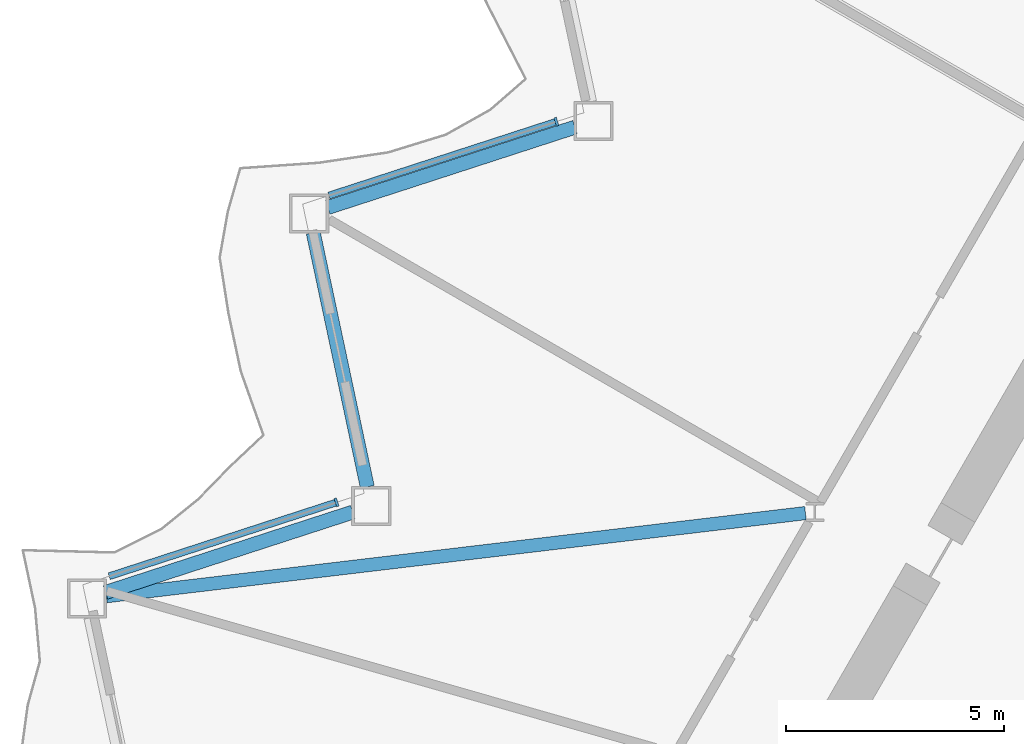
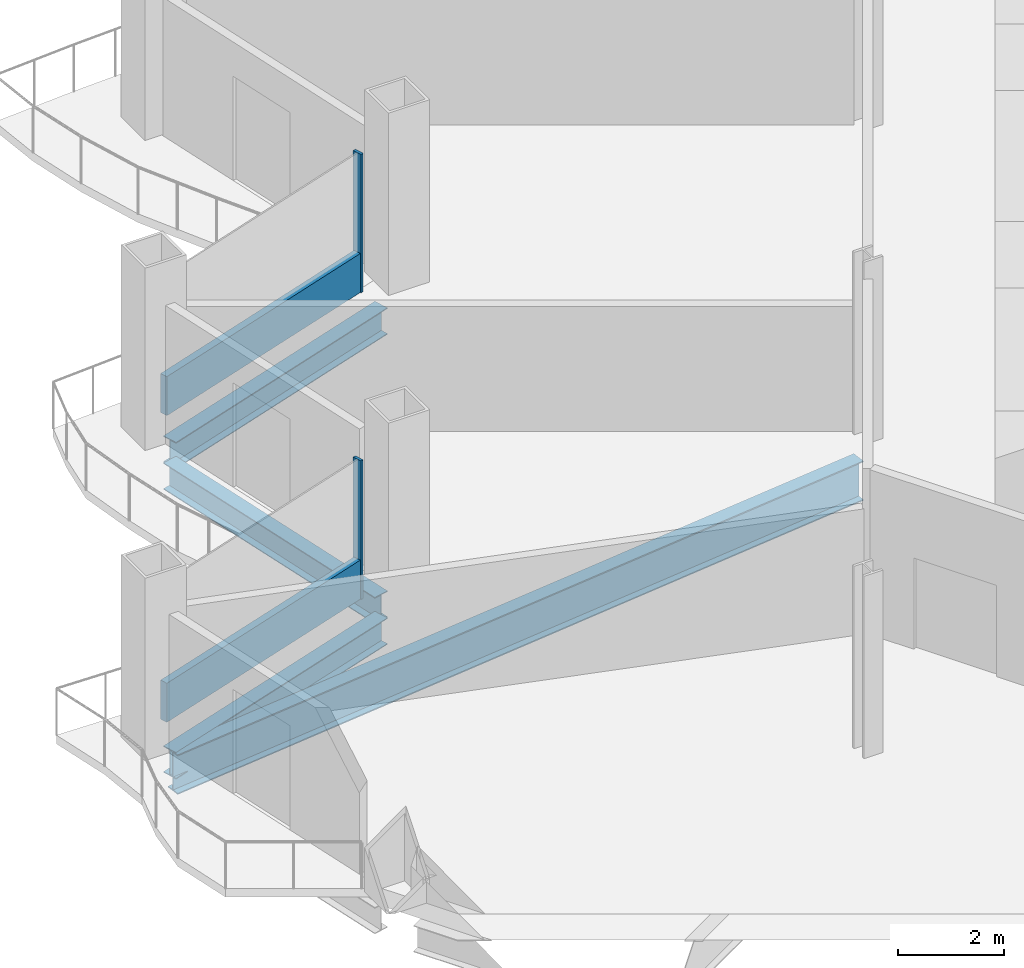
# One storey, part 4 of 21: 4 beams, 4 members, 2 elements without a shape of their own.
"""IFC4 building model written with IfcOpenShell, lengths in metres."""

from ifc_helpers import new_model, si_unit, direction, frame, origin, origin_2d, place, context, subcontext, project, spatial, rectangle, i_section, extrude, material, layer, layer_set, material_profile, profile_set, type_object, element, aggregate, save


model = new_model("IFC4")

# Units and contexts
model_context = context("Model", 3, precision=1e-05, world=origin(), true_north=direction((0.0, 1.0)))
body_context = subcontext(model_context, "Body", "Model", "MODEL_VIEW")
ifc_project = project(units=[si_unit("LENGTHUNIT", "METRE"), si_unit("AREAUNIT", "SQUARE_METRE"), si_unit("VOLUMEUNIT", "CUBIC_METRE"), si_unit("PLANEANGLEUNIT", "RADIAN"), si_unit("MASSUNIT", "GRAM", prefix="KILO")], contexts=[model_context])

# Site, building, storey
site_placement = place(None, origin())
site = spatial("IfcSite", under=ifc_project, at=site_placement, CompositionType="ELEMENT")
building_placement = place(site_placement, origin())
building = spatial("IfcBuilding", under=site, at=building_placement, Name="Cormorant Prow Tower", CompositionType="ELEMENT")
storey_placement = place(building_placement, frame((0.0, 0.0, 133.199951171875)))
storey = spatial("IfcBuildingStorey", under=building, at=storey_placement, Name="L28", CompositionType="ELEMENT", Elevation=133.199951171875)

# Curtain wall, member
ifc_material_1 = material(Name="Aluminium 6063-T6", Category="aluminium")
ifc_layer = layer(ifc_material_1, 0.199951171875)
ifc_layer_set = layer_set([ifc_layer], Name="Aluminium 6063-T6")
curtain_wall_type = type_object("IfcCurtainWallType", Name="Office unitised curtain wall 200", PredefinedType="NOTDEFINED", material=ifc_layer_set)
curtain_wall_1_placement = place(storey_placement, origin())
curtain_wall_1 = element("IfcCurtainWall", 1, at=curtain_wall_1_placement, inside=storey, type_object=curtain_wall_type, Name="Office curtain wall WNW06", PredefinedType="NOTDEFINED")
ifc_material_2 = material(Name="Aluminium 6063-T6", Category="aluminium")
ifc_material_profile_1 = material_profile(ifc_material_2, rectangle(XDim=0.199951171875, YDim=0.06005859375, at=origin_2d()), Name="Office mullion 60x200")
ifc_profile_set_1 = profile_set([ifc_material_profile_1], Name="Aluminium 6063-T6")
member_type_1 = type_object("IfcMemberType", Name="Office mullion 60x200", PredefinedType="MULLION", material=ifc_profile_set_1)
member_1_placement = place(storey_placement, frame((-21.4248046875, 5.974365234375, 0.0), z_axis=(0.0, 0.0, 1.0), x_axis=(0.309017072623, -0.951056490871, 0.0)))
member_1 = element("IfcMember", 2, at=member_1_placement, type_object=member_type_1, Name="Office mullion WNW06", PredefinedType="MULLION", context=body_context, shape_type="SweptSolid", body=[
    extrude(rectangle(XDim=0.199951171875, YDim=0.06005859375, at=origin_2d()), origin(), (0.0, 0.0, 1.0), 3.18896484375),
])

curtain_wall_2_placement = place(storey_placement, origin())
curtain_wall_2 = element("IfcCurtainWall", 3, at=curtain_wall_2_placement, inside=storey, type_object=curtain_wall_type, Name="Office curtain wall WNW08", PredefinedType="NOTDEFINED")
member_2_placement = place(storey_placement, frame((-26.468017578125, -2.760986328125, 0.0), z_axis=(0.0, 0.0, 1.0), x_axis=(0.309017072623, -0.951056490871, 0.0)))
member_2 = element("IfcMember", 4, at=member_2_placement, type_object=member_type_1, Name="Office mullion WNW08", PredefinedType="MULLION", context=body_context, shape_type="SweptSolid", body=[
    extrude(rectangle(XDim=0.199951171875, YDim=0.06005859375, at=origin_2d()), origin(), (0.0, 0.0, 1.0), 3.18896484375),
])

# Member
ifc_material_3 = material(Name="Terracotta", Category="masonry")
ifc_material_profile_2 = material_profile(ifc_material_3, rectangle(XDim=0.159912109375, YDim=0.89990234375, at=origin_2d()), Name="Office terracotta spandrel rail 160x900")
ifc_profile_set_2 = profile_set([ifc_material_profile_2], Name="Terracotta")
member_type_2 = type_object("IfcMemberType", Name="Office terracotta spandrel rail 160x900", PredefinedType="USERDEFINED", material=ifc_profile_set_2)
member_3_placement = place(storey_placement, frame((-21.453369140625, 5.965087890625, 0.449951171875), z_axis=(-0.951055118029, -0.309021297763, 0.0), x_axis=(0.309021297763, -0.951055118029, 0.0)))
member_3 = element("IfcMember", 5, at=member_3_placement, type_object=member_type_2, Name="Office spandrel rail WNW06", ObjectType="TRANSOM", PredefinedType="USERDEFINED", context=body_context, shape_type="SweptSolid", body=[
    extrude(rectangle(XDim=0.159912109375, YDim=0.89990234375, at=origin_2d()), origin(), (0.0, 0.0, 1.0), 5.45458984375),
])

aggregate(curtain_wall_1, [member_1, member_3])

member_4_placement = place(storey_placement, frame((-26.49658203125, -2.770263671875, 0.449951171875), z_axis=(-0.951059392051, -0.30900814357, 0.0), x_axis=(0.30900814357, -0.951059392051, 0.0)))
member_4 = element("IfcMember", 6, at=member_4_placement, type_object=member_type_2, Name="Office spandrel rail WNW08", ObjectType="TRANSOM", PredefinedType="USERDEFINED", context=body_context, shape_type="SweptSolid", body=[
    extrude(rectangle(XDim=0.159912109375, YDim=0.89990234375, at=origin_2d()), origin(), (0.0, 0.0, 1.0), 5.45458984375),
])

aggregate(curtain_wall_2, [member_2, member_4])

# Beams
ifc_material_4 = material(Name="Structural steel ASTM A992 Gr 50", Category="steel")
ifc_material_profile_3 = material_profile(ifc_material_4, i_section(OverallWidth=0.3046875, OverallDepth=0.914794921875, WebThickness=0.0166015625, FlangeThickness=0.02587890625, at=origin_2d()), Name="W36x160")
ifc_profile_set_3 = profile_set([ifc_material_profile_3], Name="Structural steel ASTM A992 Gr 50")
beam_type_1 = type_object("IfcBeamType", Name="Radial floor beam W36x160", PredefinedType="BEAM", material=ifc_profile_set_3)
beam_1_placement = place(storey_placement, frame((-15.70849609375, -3.00732421875, -0.857421875), z_axis=(-0.993009167646, -0.118037252474, 0.0), x_axis=(0.118037252474, -0.993009167646, 0.0)))
element("IfcBeam", 7, at=beam_1_placement, inside=storey, type_object=beam_type_1, Name="Radial floor beam FB1 4 L28", PredefinedType="BEAM", context=body_context, shape_type="SweptSolid", body=[
    extrude(i_section(OverallWidth=0.3046875, OverallDepth=0.914794921875, WebThickness=0.0166015625, FlangeThickness=0.02587890625, at=origin_2d()), origin(), (0.0, 0.0, 1.0), 16.15380859375),
])
ifc_material_5 = material(Name="Structural steel ASTM A992 Gr 50", Category="steel")
ifc_material_profile_4 = material_profile(ifc_material_5, i_section(OverallWidth=0.32373046875, OverallDepth=0.611083984375, WebThickness=0.0126953125, FlangeThickness=0.01904296875, at=origin_2d()), Name="W24x104")
ifc_profile_set_4 = profile_set([ifc_material_profile_4], Name="Structural steel ASTM A992 Gr 50")
beam_type_2 = type_object("IfcBeamType", Name="Spandrel beam W24x104", PredefinedType="SPANDREL", material=ifc_profile_set_4)
beam_2_placement = place(storey_placement, frame((-20.99755859375, 5.847900390625, -0.70556640625), z_axis=(-0.951055430656, -0.309020335608, 0.0), x_axis=(0.309020335608, -0.951055430656, 0.0)))
element("IfcBeam", 8, at=beam_2_placement, inside=storey, type_object=beam_type_2, Name="Spandrel beam SB1 WNW06-WNW07 L28", PredefinedType="SPANDREL", context=body_context, shape_type="SweptSolid", body=[
    extrude(i_section(OverallWidth=0.32373046875, OverallDepth=0.611083984375, WebThickness=0.0126953125, FlangeThickness=0.01904296875, at=origin_2d()), origin(), (0.0, 0.0, 1.0), 5.96240234375),
])
for number, where, z_axis, x_axis, name in (
    (9, (-27.002685546875, 3.426025390625, -0.70556640625), (0.207920947907, -0.978145633033, 0.0), (0.978145633033, 0.207920947907, 0.0), "Spandrel beam SB1 WNW07-WNW08 L28"),
    (10, (-26.097412109375, -2.985595703125, -0.70556640625), (-0.951059340519, -0.309008302174, 0.0), (0.309008302174, -0.951059340519, 0.0), "Spandrel beam SB1 WNW08-WNW09 L28"),
):
    element("IfcBeam", number, at=place(storey_placement, frame(where, z_axis=z_axis, x_axis=x_axis)), inside=storey, type_object=beam_type_2, Name=name, PredefinedType="SPANDREL", context=body_context, shape_type="SweptSolid", body=[
        extrude(i_section(OverallWidth=0.32373046875, OverallDepth=0.611083984375, WebThickness=0.0126953125, FlangeThickness=0.01904296875, at=origin_2d()), origin(), (0.0, 0.0, 1.0), 5.962646484375),
    ])

save(model, "model.ifc")
